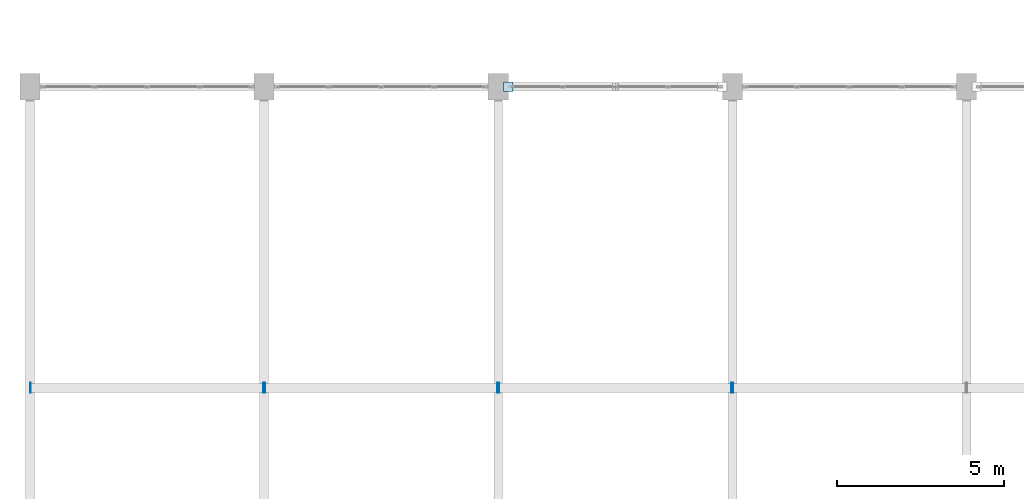
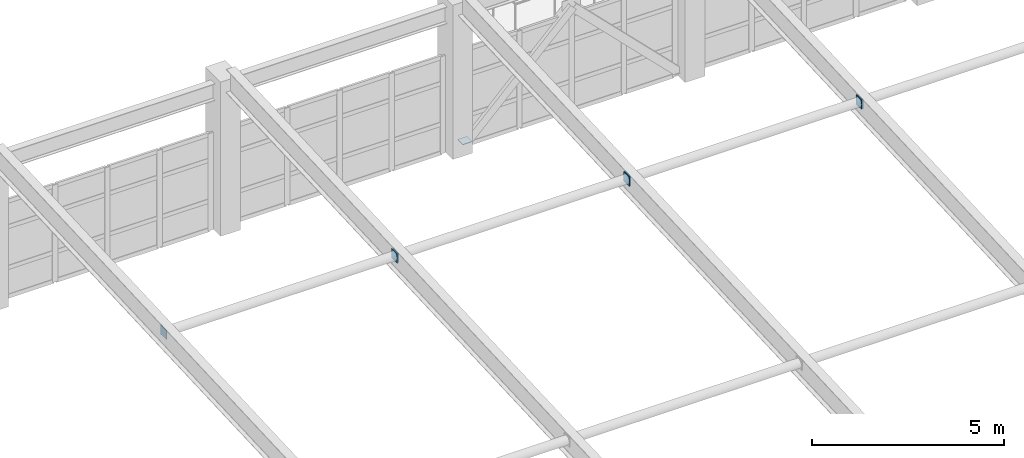
# One storey, part 80 of 150: 8 plates.
"""IFC4 building model written with IfcOpenShell, lengths in metres."""

import ifcopenshell
import ifcopenshell.guid

model = None  # the IFC model being written
_history = None  # IfcOwnerHistory: only IFC2X3 demands one
_inside = {}  # id of a spatial element -> (the spatial element, [elements in it])
_under = {}  # id of a project, library or spatial element -> (it, [spatial elements below it])
_declared = {}  # id of a project -> (the project, [libraries it declares])
_typed = {}  # id of a type object -> (the type object, [elements of that type])
_made_of = {}  # id of a material, layer set ... -> (it, [elements and type objects made of it])


def new_model(schema):
    """Start an empty IFC model of exactly this schema.

    Asked for "IFC4X3", IfcOpenShell would pick the latest addendum, in which some entities
    have other attributes; the version numbers below select the first issue.
    IFC2X3 requires an IfcOwnerHistory on every rooted entity: one is made here for all.
    """
    global model, _history
    if schema == "IFC4X3":
        model = ifcopenshell.file(schema_version=(4, 3, 0, 0))
    else:
        model = ifcopenshell.file(schema=schema)
    _inside.clear()
    _under.clear()
    _declared.clear()
    _typed.clear()
    _made_of.clear()
    _history = None
    if model.schema == "IFC2X3":
        org = make("IfcOrganization", Name="unknown")
        user = make(
            "IfcPersonAndOrganization",
            ThePerson=make("IfcPerson", FamilyName="unknown"),
            TheOrganization=org,
        )
        app = make(
            "IfcApplication",
            ApplicationDeveloper=org,
            Version="unknown",
            ApplicationFullName="unknown",
            ApplicationIdentifier="unknown",
        )
        _history = make(
            "IfcOwnerHistory",
            OwningUser=user,
            OwningApplication=app,
            ChangeAction="ADDED",
            CreationDate=0,
        )
    return model


def make(cls, **values):
    """One entity of the class cls with the attributes given. An attribute that is None is left unset."""
    return model.create_entity(
        cls, **{name: value for name, value in values.items() if value is not None}
    )


def rooted(cls, **values):
    """An entity with a GlobalId (a new one), such as an element, a storey or a relation."""
    return make(cls, GlobalId=ifcopenshell.guid.new(), OwnerHistory=_history, **values)


def si_unit(unit_type, name, prefix=None):
    """IfcSIUnit, for example si_unit("LENGTHUNIT", "METRE", prefix="MILLI")."""
    return make("IfcSIUnit", UnitType=unit_type, Prefix=prefix, Name=name)


def assignment(units):
    """IfcUnitAssignment: the units of a project."""
    return None if units is None else make("IfcUnitAssignment", Units=units)


def point(xyz):
    """IfcCartesianPoint."""
    return None if xyz is None else make("IfcCartesianPoint", Coordinates=xyz)


def direction(xyz):
    """IfcDirection."""
    return None if xyz is None else make("IfcDirection", DirectionRatios=xyz)


def frame(location, z_axis=None, x_axis=None):
    """IfcAxis2Placement3D, a coordinate frame: its origin and axes. An axis left out is left unset."""
    return make(
        "IfcAxis2Placement3D",
        Location=point(location),
        Axis=direction(z_axis),
        RefDirection=direction(x_axis),
    )


def frame_2d(location, x_axis=None):
    """IfcAxis2Placement2D, a coordinate frame in the plane: its origin and x axis."""
    return make(
        "IfcAxis2Placement2D", Location=point(location), RefDirection=direction(x_axis)
    )


def origin():
    """The frame at (0, 0, 0) with its axes left unset."""
    return frame((0.0, 0.0, 0.0))


def origin_2d():
    """The frame at (0, 0) in the plane with its x axis left unset."""
    return frame_2d((0.0, 0.0))


def place(relative_to, where):
    """IfcLocalPlacement: puts the frame where relative to a parent placement (None: the world)."""
    return make(
        "IfcLocalPlacement", PlacementRelTo=relative_to, RelativePlacement=where
    )


def context(
    kind, dimensions, precision=None, world=None, true_north=None, identifier=None
):
    """IfcGeometricRepresentationContext, for example the 3D "Model" context."""
    return make(
        "IfcGeometricRepresentationContext",
        ContextIdentifier=identifier,
        ContextType=kind,
        CoordinateSpaceDimension=dimensions,
        Precision=precision,
        WorldCoordinateSystem=world,
        TrueNorth=true_north,
    )


def subcontext(parent, identifier, kind, view, scale=None):
    """IfcGeometricRepresentationSubContext, for example "Body" below "Model"."""
    return make(
        "IfcGeometricRepresentationSubContext",
        ContextIdentifier=identifier,
        ContextType=kind,
        ParentContext=parent,
        TargetScale=scale,
        TargetView=view,
    )


def project(units=None, contexts=None):
    """IfcProject with its units and contexts."""
    return rooted(
        "IfcProject",
        Name="project",
        RepresentationContexts=contexts,
        UnitsInContext=assignment(units),
    )


def spatial(cls, under=None, at=None, **own):
    """A site, building, storey or space (cls), placed at a placement, below another one or the project."""
    s = rooted(cls, ObjectPlacement=at, **own)
    if under is not None:
        _under.setdefault(under.id(), (under, []))[1].append(s)
    return s


def profile(cls, at=None, kind="AREA", **sizes):
    """A parametric profile (cls). Its sizes go by their IFC names, for example OverallWidth=200.0."""
    return make(cls, ProfileType=kind, Position=at, **sizes)


def rectangle(**sizes):
    """IfcRectangleProfileDef."""
    return profile("IfcRectangleProfileDef", **sizes)


def extrude(swept, where, along, depth):
    """IfcExtrudedAreaSolid: the profile swept, set in the frame where, extruded along a direction by depth."""
    return make(
        "IfcExtrudedAreaSolid",
        SweptArea=swept,
        Position=where,
        ExtrudedDirection=direction(along),
        Depth=depth,
    )


def shape(context_of_items, identifier, shape_type, items):
    """IfcShapeRepresentation: the items that make up one representation, for example the "Body"."""
    return make(
        "IfcShapeRepresentation",
        ContextOfItems=context_of_items,
        RepresentationIdentifier=identifier,
        RepresentationType=shape_type,
        Items=items,
    )


def material(Name=None, Category=None):
    """IfcMaterial."""
    return make("IfcMaterial", Name=Name, Category=Category)


def layer(
    of_material, thickness, ventilated=None, Name=None, Category=None, Priority=None
):
    """IfcMaterialLayer: one layer of a wall or slab, of a material (None: an air gap)."""
    return make(
        "IfcMaterialLayer",
        Material=of_material,
        LayerThickness=thickness,
        IsVentilated=ventilated,
        Name=Name,
        Category=Category,
        Priority=Priority,
    )


def layer_set(layers, Name=None):
    """IfcMaterialLayerSet."""
    return make("IfcMaterialLayerSet", MaterialLayers=layers, LayerSetName=Name)


def made_of(thing, what):
    """Note that an element or type object is made of a material, layer set ...; save() writes the relation."""
    if what is not None:
        _made_of.setdefault(what.id(), (what, []))[1].append(thing)
    return thing


def type_object(cls, material=None, **own):
    """A type object (cls), such as IfcWallType, which elements share."""
    return made_of(rooted(cls, **own), material)


def element(
    cls,
    number,
    at=None,
    inside=None,
    cuts=None,
    type_object=None,
    material=None,
    context=None,
    identifier="Body",
    shape_type=None,
    held_by="IfcProductDefinitionShape",
    body=None,
    shapes=None,
    **own,
):
    """One element of the class cls, such as IfcWall. Its Tag is "e" and its number.

    at: its placement. inside: the storey or other place that contains it. cuts: it is an
    opening in that element (IfcRelVoidsElement). A single representation is given by context,
    identifier, shape_type and body (its items); several are given by shapes. held_by: the class
    of the entity that holds the representations. save() writes the other relations.
    """
    e = rooted(cls, Tag="e%d" % number, ObjectPlacement=at, **own)
    if body is not None:
        shapes = [shape(context, identifier, shape_type, body)]
    if shapes is not None:
        e.Representation = make(held_by, Representations=shapes)
    if inside is not None:
        _inside.setdefault(inside.id(), (inside, []))[1].append(e)
    if cuts is not None:
        rooted(
            "IfcRelVoidsElement", RelatingBuildingElement=cuts, RelatedOpeningElement=e
        )
    if type_object is not None:
        _typed.setdefault(type_object.id(), (type_object, []))[1].append(e)
    return made_of(e, material)


def aggregate(whole, parts):
    """IfcRelAggregates: a whole, such as a stair, and the parts it consists of."""
    return rooted("IfcRelAggregates", RelatingObject=whole, RelatedObjects=parts)


def save(model, path):
    """Write the relations noted so far, then the file.

    IfcRelAggregates (storeys below a building ...), IfcRelContainedInSpatialStructure (elements
    in a storey), IfcRelDefinesByType, IfcRelAssociatesMaterial and IfcRelDeclares: one each for
    every whole, place, type object, material and project.
    """
    for whole, parts in _under.values():
        aggregate(whole, parts)
    for where, things in _inside.values():
        rooted(
            "IfcRelContainedInSpatialStructure",
            RelatedElements=things,
            RelatingStructure=where,
        )
    for kind, things in _typed.values():
        rooted("IfcRelDefinesByType", RelatedObjects=things, RelatingType=kind)
    for what, things in _made_of.values():
        rooted("IfcRelAssociatesMaterial", RelatedObjects=things, RelatingMaterial=what)
    for by, libraries in _declared.values():
        rooted("IfcRelDeclares", RelatingContext=by, RelatedDefinitions=libraries)
    model.write(path)


model = new_model("IFC4")

# Units and contexts
model_context = context("Model", 3, precision=1e-05, world=origin(), true_north=direction((0.0, 1.0)))
body_context = subcontext(model_context, "Body", "Model", "MODEL_VIEW")
ifc_project = project(units=[si_unit("LENGTHUNIT", "METRE"), si_unit("AREAUNIT", "SQUARE_METRE"), si_unit("VOLUMEUNIT", "CUBIC_METRE"), si_unit("PLANEANGLEUNIT", "RADIAN"), si_unit("MASSUNIT", "GRAM", prefix="KILO")], contexts=[model_context])

# Site, building, storey
site_placement = place(None, origin())
site = spatial("IfcSite", under=ifc_project, at=site_placement, CompositionType="ELEMENT")
building_placement = place(site_placement, origin())
building = spatial("IfcBuilding", under=site, at=building_placement, Name="Kestramere Prow Commons", CompositionType="ELEMENT")
storey_placement = place(building_placement, frame((0.0, 0.0, 4.5)))
storey = spatial("IfcBuildingStorey", under=building, at=storey_placement, Name="L01", CompositionType="ELEMENT", Elevation=4.5)

# Plates
ifc_material = material(Name="Steel S355JR", Category="steel")
ifc_layer_1 = layer(ifc_material, 0.01611328125)
ifc_layer_set_1 = layer_set([ifc_layer_1], Name="Steel S355JR")
plate_type_1 = type_object("IfcPlateType", Name="PL-ENDCAP-16", PredefinedType="SHEET", material=ifc_layer_set_1)
for number, where, z_axis, x_axis, name in (
    (1, (2.219970703125, 34.5, 4.35400390625), (0.0, 0.0, 1.0), (1.0, 0.0, 0.0), "Tie Strut Cap Plate 1-3A"),
    (2, (9.179931640625, 34.5, 4.35400390625), (0.0, 0.0, 1.0), (1.0, 0.0, 0.0), "Tie Strut Cap Plate 1-3B"),
    (3, (9.219970703125, 34.5, 4.35400390625), (0.0, 0.0, 1.0), (1.0, 0.0, 0.0), "Tie Strut Cap Plate 2-3A"),
    (4, (16.179931640625, 34.5, 4.35400390625), (0.0, 0.0, 1.0), (1.0, 0.0, 0.0), "Tie Strut Cap Plate 2-3B"),
    (5, (16.219970703125, 34.5, 4.35400390625), (0.0, 0.0, 1.0), (1.0, 0.0, 0.0), "Tie Strut Cap Plate 3-3A"),
    (6, (23.179931640625, 34.5, 4.35400390625), (0.0, 0.0, 1.0), (1.0, 0.0, 0.0), "Tie Strut Cap Plate 3-3B"),
    (7, (23.219970703125, 34.5, 4.35400390625), (0.0, 0.0, 1.0), (1.0, 0.0, 0.0), "Tie Strut Cap Plate 4-3A"),
):
    element("IfcPlate", number, at=place(storey_placement, frame(where, z_axis=z_axis, x_axis=x_axis)), inside=storey, type_object=plate_type_1, Name=name, PredefinedType="SHEET", context=body_context, shape_type="SweptSolid", body=[
        extrude(rectangle(XDim=0.01611328125, YDim=0.300048828125, at=origin_2d()), origin(), (0.0, 0.0, 1.0), 0.300048828125),
    ])
ifc_layer_2 = layer(ifc_material, 0.01611328125)
ifc_layer_set_2 = layer_set([ifc_layer_2], Name="Steel S355JR")
plate_type_2 = type_object("IfcPlateType", Name="PL-ENDCAP-16 (EX)", PredefinedType="SHEET", material=ifc_layer_set_2)
plate_placement = place(storey_placement, frame((16.5, 43.5, 0.141845703125), z_axis=(0.0, 0.0, 1.0), x_axis=(1.0, 0.0, 0.0)))
element("IfcPlate", 8, at=plate_placement, inside=storey, type_object=plate_type_2, Name="Brace Cap Plate 3L", PredefinedType="SHEET", context=body_context, shape_type="SweptSolid", body=[
    extrude(rectangle(XDim=0.280029296875, YDim=0.280029296875, at=origin_2d()), origin(), (0.0, 0.0, 1.0), 0.01611328125),
])

save(model, "model.ifc")
